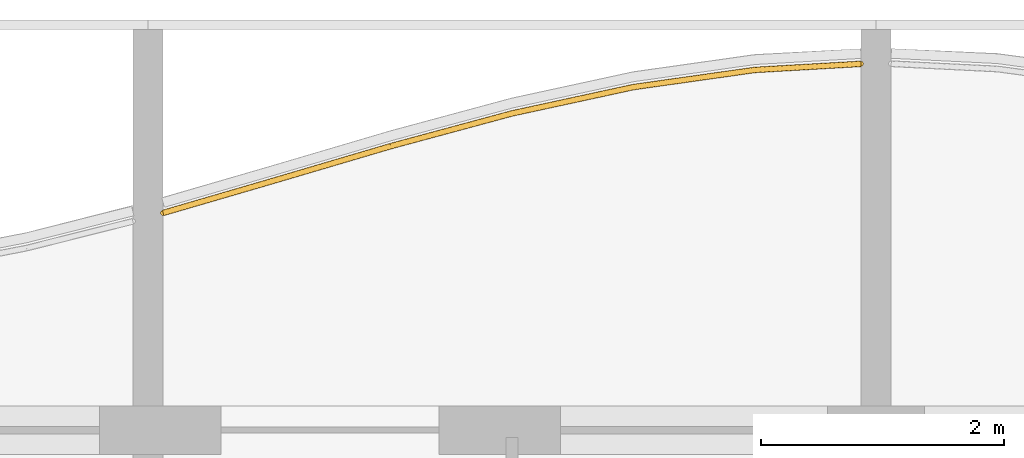
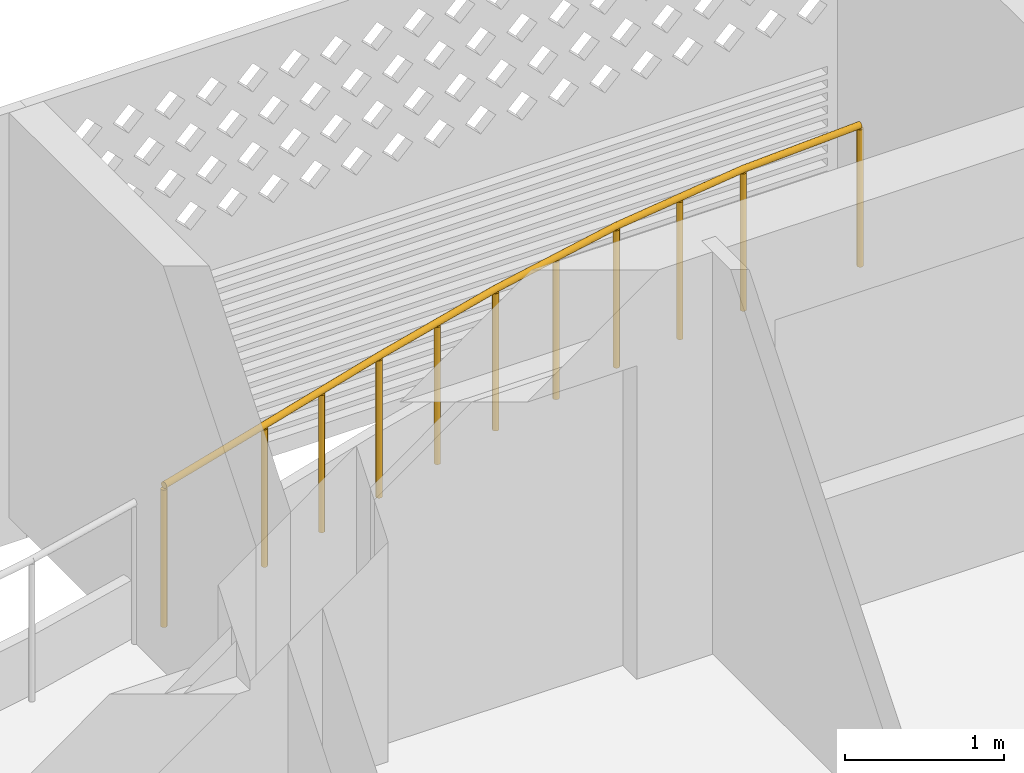
# One storey, part 25 of 28: 1 railing.
"""IFC4 building model written with IfcOpenShell, lengths in metres."""

from ifc_helpers import new_model, si_unit, direction, frame, origin, origin_2d, place, context, subcontext, project, spatial, circle, extrude, material, type_object, element, save


model = new_model("IFC4")

# Units and contexts
model_context = context("Model", 3, precision=1e-05, world=origin(), true_north=direction((0.0, 1.0)))
body_context = subcontext(model_context, "Body", "Model", "MODEL_VIEW")
ifc_project = project(units=[si_unit("LENGTHUNIT", "METRE"), si_unit("AREAUNIT", "SQUARE_METRE"), si_unit("VOLUMEUNIT", "CUBIC_METRE"), si_unit("PLANEANGLEUNIT", "RADIAN"), si_unit("MASSUNIT", "GRAM", prefix="KILO")], contexts=[model_context])

# Site, building, storey
site_placement = place(None, origin())
site = spatial("IfcSite", under=ifc_project, at=site_placement, CompositionType="ELEMENT")
building_placement = place(site_placement, origin())
building = spatial("IfcBuilding", under=site, at=building_placement, Name="Poui Terraces", CompositionType="ELEMENT")
storey_placement = place(building_placement, frame((0.0, 0.0, 185.10009765625)))
storey = spatial("IfcBuildingStorey", under=building, at=storey_placement, Name="L51", CompositionType="ELEMENT", Elevation=185.10009765625)

# Railing
ifc_material = material(Name="Painted steel fretwork", Category="steel")
railing_type = type_object("IfcRailingType", Name="BALCONY GUARD 1100", PredefinedType="GUARDRAIL", material=ifc_material)
railing_placement = place(storey_placement, frame((66.125, 42.990234375, 0.0)))
element("IfcRailing", 1, at=railing_placement, inside=storey, type_object=railing_type, Name="BALCONY GUARD", PredefinedType="GUARDRAIL", context=body_context, shape_type="SweptSolid", body=[
    extrude(circle(Radius=0.02392578125, at=origin_2d()), frame((0.0, 0.0, 1.076171875), z_axis=(0.960023997073, 0.2799177112, 0.0), x_axis=(-0.2799177112, 0.960023997073, 0.0)), (0.0, 0.0, 1.0), 0.911376953125),
    extrude(circle(Radius=0.02392578125, at=origin_2d()), frame((0.875, 0.255126953125, 1.076171875), z_axis=(0.959156425707, 0.282876211488, 0.0), x_axis=(-0.282876211488, 0.959156425707, 0.0)), (0.0, 0.0, 1.0), 1.04248046875),
    extrude(circle(Radius=0.02392578125, at=origin_2d()), frame((1.875, 0.550048828125, 1.076171875), z_axis=(0.965424337217, 0.260683426993, 0.0), x_axis=(-0.260683426993, 0.965424337217, 0.0)), (0.0, 0.0, 1.0), 1.035888671875),
    extrude(circle(Radius=0.02392578125, at=origin_2d()), frame((2.875, 0.820068359375, 1.076171875), z_axis=(0.977296797445, 0.211874891633, 0.0), x_axis=(-0.211874891633, 0.977296797445, 0.0)), (0.0, 0.0, 1.0), 1.023193359375),
    extrude(circle(Radius=0.02392578125, at=origin_2d()), frame((3.875, 1.036865234375, 1.076171875), z_axis=(0.99015631817, 0.13996594439, 0.0), x_axis=(-0.13996594439, 0.99015631817, 0.0)), (0.0, 0.0, 1.0), 1.010009765625),
    extrude(circle(Radius=0.02392578125, at=origin_2d()), frame((4.875, 1.17822265625, 1.076171875), z_axis=(0.998352239869, 0.057382969144, 0.0), x_axis=(-0.057382969144, 0.998352239869, 0.0)), (0.0, 0.0, 1.0), 0.87646484375),
    extrude(circle(Radius=0.02099609375, at=origin_2d()), origin(), (0.0, 0.0, 1.0), 1.052001953125),
    extrude(circle(Radius=0.02099609375, at=origin_2d()), frame((0.875, 0.255126953125, 0.0)), (0.0, 0.0, 1.0), 1.052001953125),
    extrude(circle(Radius=0.02099609375, at=origin_2d()), frame((1.375, 0.402587890625, 0.0)), (0.0, 0.0, 1.0), 1.052001953125),
    extrude(circle(Radius=0.02099609375, at=origin_2d()), frame((1.875, 0.550048828125, 0.0)), (0.0, 0.0, 1.0), 1.052001953125),
    extrude(circle(Radius=0.02099609375, at=origin_2d()), frame((2.375, 0.68505859375, 0.0)), (0.0, 0.0, 1.0), 1.052001953125),
    extrude(circle(Radius=0.02099609375, at=origin_2d()), frame((2.875, 0.820068359375, 0.0)), (0.0, 0.0, 1.0), 1.052001953125),
    extrude(circle(Radius=0.02099609375, at=origin_2d()), frame((3.375, 0.928466796875, 0.0)), (0.0, 0.0, 1.0), 1.052001953125),
    extrude(circle(Radius=0.02099609375, at=origin_2d()), frame((3.875, 1.036865234375, 0.0)), (0.0, 0.0, 1.0), 1.052001953125),
    extrude(circle(Radius=0.02099609375, at=origin_2d()), frame((4.375, 1.107421875, 0.0)), (0.0, 0.0, 1.0), 1.052001953125),
    extrude(circle(Radius=0.02099609375, at=origin_2d()), frame((4.875, 1.17822265625, 0.0)), (0.0, 0.0, 1.0), 1.052001953125),
    extrude(circle(Radius=0.02099609375, at=origin_2d()), frame((5.75, 1.228515625, 0.0)), (0.0, 0.0, 1.0), 1.052001953125),
])

save(model, "model.ifc")
